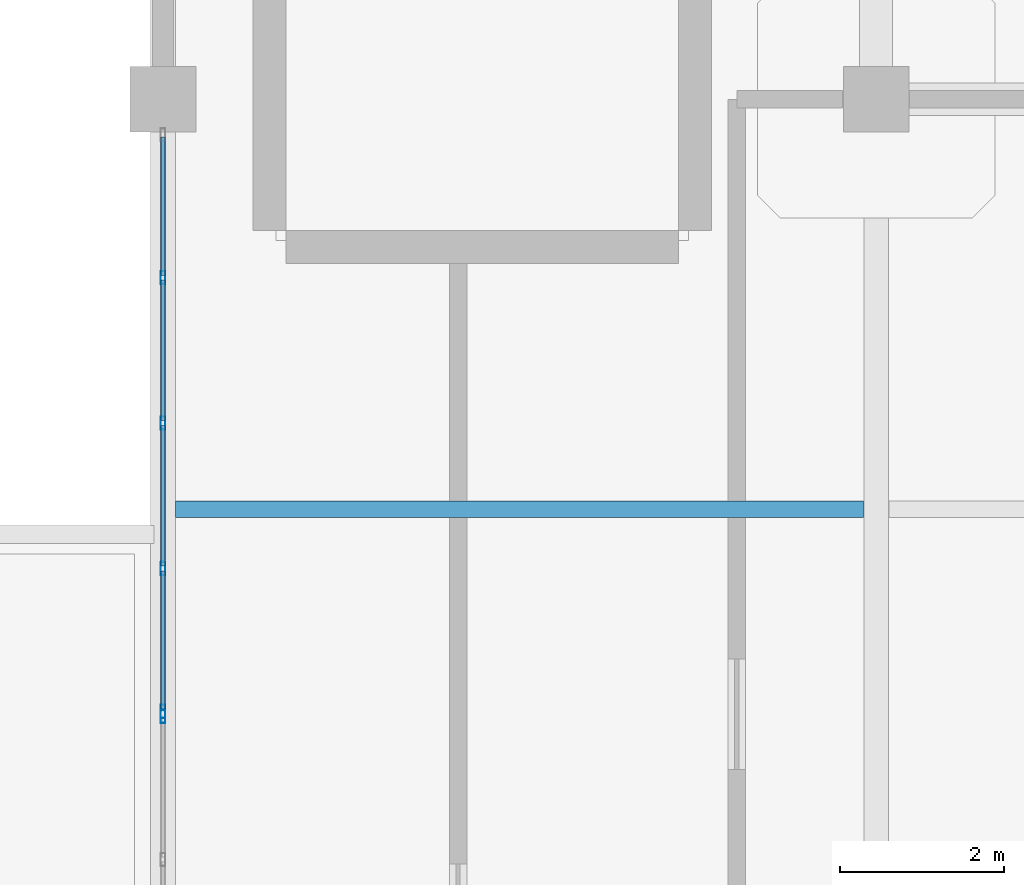
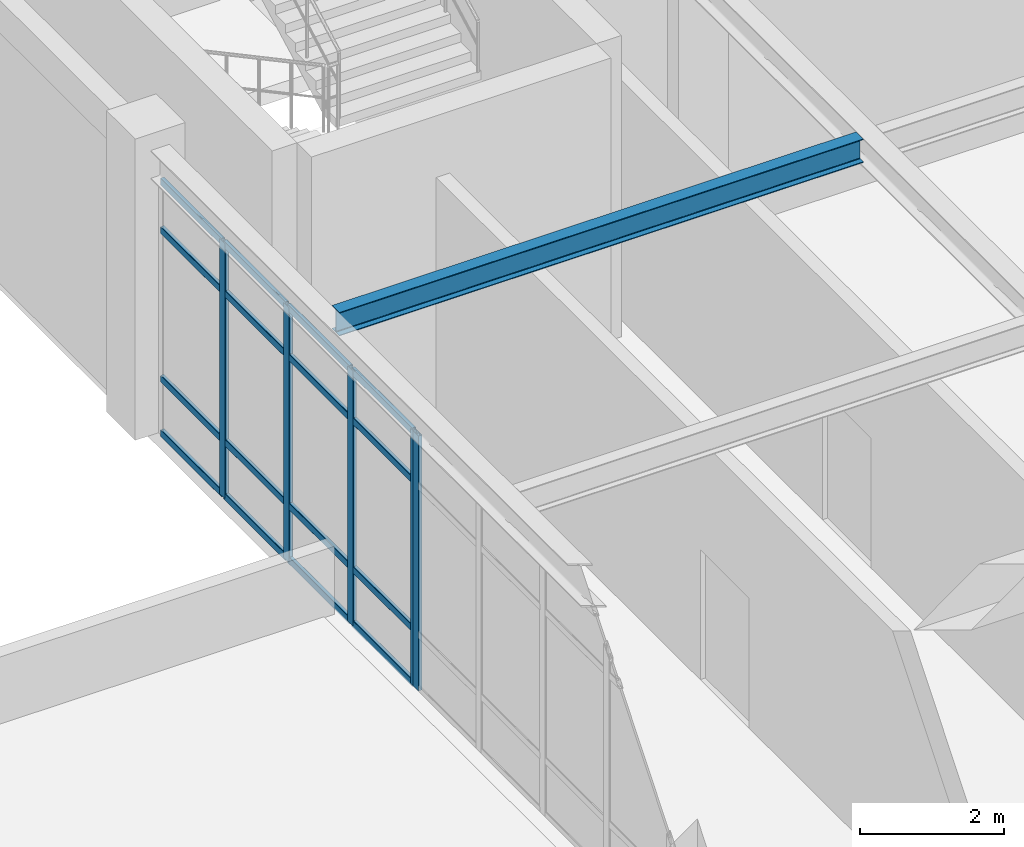
# One storey, part 27 of 124: 21 members, 1 beam, 2 elements without a shape of their own.
"""IFC4 building model written with IfcOpenShell, lengths in metres."""

from ifc_helpers import new_model, si_unit, derived_unit, direction, frame, origin, origin_2d, place, context, subcontext, project, spatial, hollow_rectangle, i_section, extrude, material, layer, layer_set, material_profile, profile_set, type_object, element, aggregate, save


model = new_model("IFC4")

# Units and contexts
model_context = context("Model", 3, precision=1e-05, world=origin(), true_north=direction((0.0, 1.0)))
body_context = subcontext(model_context, "Body", "Model", "MODEL_VIEW")
ifc_project = project(units=[si_unit("LENGTHUNIT", "METRE"), si_unit("AREAUNIT", "SQUARE_METRE"), si_unit("VOLUMEUNIT", "CUBIC_METRE"), si_unit("PLANEANGLEUNIT", "RADIAN"), si_unit("MASSUNIT", "GRAM", prefix="KILO"), derived_unit("THERMALTRANSMITTANCEUNIT", [(si_unit("MASSUNIT", "GRAM", prefix="KILO"), 1), (si_unit("TIMEUNIT", "SECOND"), -3), (si_unit("THERMODYNAMICTEMPERATUREUNIT", "KELVIN"), -1)])], contexts=[model_context])

# Site, building, storey
site_placement = place(None, origin())
site = spatial("IfcSite", under=ifc_project, at=site_placement, CompositionType="ELEMENT")
building_placement = place(site_placement, origin())
building = spatial("IfcBuilding", under=site, at=building_placement, Name="Qinzheling Arcade Emporium", CompositionType="ELEMENT")
storey_placement = place(building_placement, frame((0.0, 0.0, 16.5)))
storey = spatial("IfcBuildingStorey", under=building, at=storey_placement, Name="L04", CompositionType="ELEMENT", Elevation=16.5)

# Curtain wall, member
ifc_material_1 = material(Name="Anodised aluminium and solar-control double glazing", Category="aluminium")
ifc_layer = layer(ifc_material_1, 0.159912109375, Name="Anodised aluminium and solar-control double glazing", Category="aluminium")
ifc_layer_set = layer_set([ifc_layer], Name="Anodised aluminium and solar-control double glazing")
curtain_wall_type = type_object("IfcCurtainWallType", Name="Atrium Clerestory Curtain Wall", PredefinedType="NOTDEFINED", material=ifc_layer_set)
curtain_wall_1_placement = place(storey_placement, origin())
curtain_wall_1 = element("IfcCurtainWall", 1, at=curtain_wall_1_placement, inside=storey, type_object=curtain_wall_type, Name="Curtain Wall CW-L04-241", PredefinedType="NOTDEFINED")
ifc_material_2 = material(Name="Anodised aluminium 6063-T6", Category="aluminium")
ifc_material_profile_1 = material_profile(ifc_material_2, hollow_rectangle(XDim=0.06005859375, YDim=0.159912109375, WallThickness=0.00390625, InnerFilletRadius=0.00390625, OuterFilletRadius=0.008056640625, at=origin_2d()), Name="RHS 160x60x4", Category="aluminium")
ifc_profile_set_1 = profile_set([ifc_material_profile_1], Name="Anodised aluminium 6063-T6")
member_type_1 = type_object("IfcMemberType", Name="Curtain Wall Mullion RHS160x60", PredefinedType="MULLION", material=ifc_profile_set_1)
member_1_placement = place(storey_placement, frame((34.800048828125, 57.867919921875, 0.0), z_axis=(0.0, 0.0, 1.0), x_axis=(-1.0, 0.0, 0.0)))
member_1 = element("IfcMember", 2, at=member_1_placement, type_object=member_type_1, Name="CW03 mullion 5", PredefinedType="MULLION", context=body_context, shape_type="SweptSolid", body=[
    extrude(hollow_rectangle(XDim=0.06005859375, YDim=0.159912109375, WallThickness=0.00390625, InnerFilletRadius=0.00390625, OuterFilletRadius=0.008056640625, at=origin_2d()), origin(), (0.0, 0.0, 1.0), 4.31689453125),
])
aggregate(curtain_wall_1, [member_1])

# Curtain wall, members
curtain_wall_2_placement = place(storey_placement, origin())
curtain_wall_2 = element("IfcCurtainWall", 3, at=curtain_wall_2_placement, inside=storey, type_object=curtain_wall_type, Name="Curtain Wall CW-L04-242", PredefinedType="NOTDEFINED")
member_2_placement = place(storey_placement, frame((34.800048828125, 57.931884765625, 0.0), z_axis=(0.0, 0.0, 1.0), x_axis=(-1.0, 0.0, 0.0)))
member_2 = element("IfcMember", 4, at=member_2_placement, type_object=member_type_1, Name="CW03 mullion 1", PredefinedType="MULLION", context=body_context, shape_type="SweptSolid", body=[
    extrude(hollow_rectangle(XDim=0.06005859375, YDim=0.159912109375, WallThickness=0.00390625, InnerFilletRadius=0.00390625, OuterFilletRadius=0.008056640625, at=origin_2d()), origin(), (0.0, 0.0, 1.0), 4.31689453125),
])
member_3_placement = place(storey_placement, frame((34.800048828125, 59.676025390625, 0.0), z_axis=(0.0, 0.0, 1.0), x_axis=(-1.0, 0.0, 0.0)))
member_3 = element("IfcMember", 5, at=member_3_placement, type_object=member_type_1, Name="CW03 mullion 2", PredefinedType="MULLION", context=body_context, shape_type="SweptSolid", body=[
    extrude(hollow_rectangle(XDim=0.06005859375, YDim=0.159912109375, WallThickness=0.00390625, InnerFilletRadius=0.00390625, OuterFilletRadius=0.008056640625, at=origin_2d()), origin(), (0.0, 0.0, 1.0), 4.31689453125),
])
member_4_placement = place(storey_placement, frame((34.800048828125, 61.449951171875, 0.0), z_axis=(0.0, 0.0, 1.0), x_axis=(-1.0, 0.0, 0.0)))
member_4 = element("IfcMember", 6, at=member_4_placement, type_object=member_type_1, Name="CW03 mullion 3", PredefinedType="MULLION", context=body_context, shape_type="SweptSolid", body=[
    extrude(hollow_rectangle(XDim=0.06005859375, YDim=0.159912109375, WallThickness=0.00390625, InnerFilletRadius=0.00390625, OuterFilletRadius=0.008056640625, at=origin_2d()), origin(), (0.0, 0.0, 1.0), 4.31689453125),
])
member_5_placement = place(storey_placement, frame((34.800048828125, 63.22412109375, 0.0), z_axis=(0.0, 0.0, 1.0), x_axis=(-1.0, 0.0, 0.0)))
member_5 = element("IfcMember", 7, at=member_5_placement, type_object=member_type_1, Name="CW03 mullion 4", PredefinedType="MULLION", context=body_context, shape_type="SweptSolid", body=[
    extrude(hollow_rectangle(XDim=0.06005859375, YDim=0.159912109375, WallThickness=0.00390625, InnerFilletRadius=0.00390625, OuterFilletRadius=0.008056640625, at=origin_2d()), origin(), (0.0, 0.0, 1.0), 4.31689453125),
])
ifc_material_profile_2 = material_profile(ifc_material_2, hollow_rectangle(XDim=0.06005859375, YDim=0.1201171875, WallThickness=0.00390625, InnerFilletRadius=0.00390625, OuterFilletRadius=0.008056640625, at=origin_2d()), Name="RHS 120x60x4", Category="aluminium")
ifc_profile_set_2 = profile_set([ifc_material_profile_2], Name="Anodised aluminium 6063-T6")
member_type_2 = type_object("IfcMemberType", Name="Curtain Wall Transom RHS120x60", PredefinedType="USERDEFINED", material=ifc_profile_set_2)
member_6_placement = place(storey_placement, frame((34.800048828125, 57.9619140625, 0.030029296875), z_axis=(0.0, 1.0, 0.0), x_axis=(-1.0, 0.0, 0.0)))
member_6 = element("IfcMember", 8, at=member_6_placement, type_object=member_type_2, Name="CW03 transom 1.1", ObjectType="TRANSOM", PredefinedType="USERDEFINED", context=body_context, shape_type="SweptSolid", body=[
    extrude(hollow_rectangle(XDim=0.06005859375, YDim=0.1201171875, WallThickness=0.00390625, InnerFilletRadius=0.00390625, OuterFilletRadius=0.008056640625, at=origin_2d()), origin(), (0.0, 0.0, 1.0), 1.68408203125),
])
member_7_placement = place(storey_placement, frame((34.800048828125, 57.9619140625, 0.949951171875), z_axis=(0.0, 1.0, 0.0), x_axis=(-1.0, 0.0, 0.0)))
member_7 = element("IfcMember", 9, at=member_7_placement, type_object=member_type_2, Name="CW03 transom 1.2", ObjectType="TRANSOM", PredefinedType="USERDEFINED", context=body_context, shape_type="SweptSolid", body=[
    extrude(hollow_rectangle(XDim=0.06005859375, YDim=0.1201171875, WallThickness=0.00390625, InnerFilletRadius=0.00390625, OuterFilletRadius=0.008056640625, at=origin_2d()), origin(), (0.0, 0.0, 1.0), 1.68408203125),
])
member_8_placement = place(storey_placement, frame((34.800048828125, 57.9619140625, 3.467041015625), z_axis=(0.0, 1.0, 0.0), x_axis=(-1.0, 0.0, 0.0)))
member_8 = element("IfcMember", 10, at=member_8_placement, type_object=member_type_2, Name="CW03 transom 1.3", ObjectType="TRANSOM", PredefinedType="USERDEFINED", context=body_context, shape_type="SweptSolid", body=[
    extrude(hollow_rectangle(XDim=0.06005859375, YDim=0.1201171875, WallThickness=0.00390625, InnerFilletRadius=0.00390625, OuterFilletRadius=0.008056640625, at=origin_2d()), origin(), (0.0, 0.0, 1.0), 1.68408203125),
])
member_9_placement = place(storey_placement, frame((34.800048828125, 57.9619140625, 4.287109375), z_axis=(0.0, 1.0, 0.0), x_axis=(-1.0, 0.0, 0.0)))
member_9 = element("IfcMember", 11, at=member_9_placement, type_object=member_type_2, Name="CW03 transom 1.4", ObjectType="TRANSOM", PredefinedType="USERDEFINED", context=body_context, shape_type="SweptSolid", body=[
    extrude(hollow_rectangle(XDim=0.06005859375, YDim=0.1201171875, WallThickness=0.00390625, InnerFilletRadius=0.00390625, OuterFilletRadius=0.008056640625, at=origin_2d()), origin(), (0.0, 0.0, 1.0), 1.68408203125),
])
member_10_placement = place(storey_placement, frame((34.800048828125, 59.7060546875, 0.030029296875), z_axis=(0.0, 1.0, 0.0), x_axis=(-1.0, 0.0, 0.0)))
member_10 = element("IfcMember", 12, at=member_10_placement, type_object=member_type_2, Name="CW03 transom 2.1", ObjectType="TRANSOM", PredefinedType="USERDEFINED", context=body_context, shape_type="SweptSolid", body=[
    extrude(hollow_rectangle(XDim=0.06005859375, YDim=0.1201171875, WallThickness=0.00390625, InnerFilletRadius=0.00390625, OuterFilletRadius=0.008056640625, at=origin_2d()), origin(), (0.0, 0.0, 1.0), 1.7138671875),
])
member_11_placement = place(storey_placement, frame((34.800048828125, 59.7060546875, 0.949951171875), z_axis=(0.0, 1.0, 0.0), x_axis=(-1.0, 0.0, 0.0)))
member_11 = element("IfcMember", 13, at=member_11_placement, type_object=member_type_2, Name="CW03 transom 2.2", ObjectType="TRANSOM", PredefinedType="USERDEFINED", context=body_context, shape_type="SweptSolid", body=[
    extrude(hollow_rectangle(XDim=0.06005859375, YDim=0.1201171875, WallThickness=0.00390625, InnerFilletRadius=0.00390625, OuterFilletRadius=0.008056640625, at=origin_2d()), origin(), (0.0, 0.0, 1.0), 1.7138671875),
])
member_12_placement = place(storey_placement, frame((34.800048828125, 59.7060546875, 3.467041015625), z_axis=(0.0, 1.0, 0.0), x_axis=(-1.0, 0.0, 0.0)))
member_12 = element("IfcMember", 14, at=member_12_placement, type_object=member_type_2, Name="CW03 transom 2.3", ObjectType="TRANSOM", PredefinedType="USERDEFINED", context=body_context, shape_type="SweptSolid", body=[
    extrude(hollow_rectangle(XDim=0.06005859375, YDim=0.1201171875, WallThickness=0.00390625, InnerFilletRadius=0.00390625, OuterFilletRadius=0.008056640625, at=origin_2d()), origin(), (0.0, 0.0, 1.0), 1.7138671875),
])
member_13_placement = place(storey_placement, frame((34.800048828125, 59.7060546875, 4.287109375), z_axis=(0.0, 1.0, 0.0), x_axis=(-1.0, 0.0, 0.0)))
member_13 = element("IfcMember", 15, at=member_13_placement, type_object=member_type_2, Name="CW03 transom 2.4", ObjectType="TRANSOM", PredefinedType="USERDEFINED", context=body_context, shape_type="SweptSolid", body=[
    extrude(hollow_rectangle(XDim=0.06005859375, YDim=0.1201171875, WallThickness=0.00390625, InnerFilletRadius=0.00390625, OuterFilletRadius=0.008056640625, at=origin_2d()), origin(), (0.0, 0.0, 1.0), 1.7138671875),
])
member_14_placement = place(storey_placement, frame((34.800048828125, 61.47998046875, 0.030029296875), z_axis=(0.0, 1.0, 0.0), x_axis=(-1.0, 0.0, 0.0)))
member_14 = element("IfcMember", 16, at=member_14_placement, type_object=member_type_2, Name="CW03 transom 3.1", ObjectType="TRANSOM", PredefinedType="USERDEFINED", context=body_context, shape_type="SweptSolid", body=[
    extrude(hollow_rectangle(XDim=0.06005859375, YDim=0.1201171875, WallThickness=0.00390625, InnerFilletRadius=0.00390625, OuterFilletRadius=0.008056640625, at=origin_2d()), origin(), (0.0, 0.0, 1.0), 1.714111328125),
])
member_15_placement = place(storey_placement, frame((34.800048828125, 61.47998046875, 0.949951171875), z_axis=(0.0, 1.0, 0.0), x_axis=(-1.0, 0.0, 0.0)))
member_15 = element("IfcMember", 17, at=member_15_placement, type_object=member_type_2, Name="CW03 transom 3.2", ObjectType="TRANSOM", PredefinedType="USERDEFINED", context=body_context, shape_type="SweptSolid", body=[
    extrude(hollow_rectangle(XDim=0.06005859375, YDim=0.1201171875, WallThickness=0.00390625, InnerFilletRadius=0.00390625, OuterFilletRadius=0.008056640625, at=origin_2d()), origin(), (0.0, 0.0, 1.0), 1.714111328125),
])
member_16_placement = place(storey_placement, frame((34.800048828125, 61.47998046875, 3.467041015625), z_axis=(0.0, 1.0, 0.0), x_axis=(-1.0, 0.0, 0.0)))
member_16 = element("IfcMember", 18, at=member_16_placement, type_object=member_type_2, Name="CW03 transom 3.3", ObjectType="TRANSOM", PredefinedType="USERDEFINED", context=body_context, shape_type="SweptSolid", body=[
    extrude(hollow_rectangle(XDim=0.06005859375, YDim=0.1201171875, WallThickness=0.00390625, InnerFilletRadius=0.00390625, OuterFilletRadius=0.008056640625, at=origin_2d()), origin(), (0.0, 0.0, 1.0), 1.714111328125),
])
member_17_placement = place(storey_placement, frame((34.800048828125, 61.47998046875, 4.287109375), z_axis=(0.0, 1.0, 0.0), x_axis=(-1.0, 0.0, 0.0)))
member_17 = element("IfcMember", 19, at=member_17_placement, type_object=member_type_2, Name="CW03 transom 3.4", ObjectType="TRANSOM", PredefinedType="USERDEFINED", context=body_context, shape_type="SweptSolid", body=[
    extrude(hollow_rectangle(XDim=0.06005859375, YDim=0.1201171875, WallThickness=0.00390625, InnerFilletRadius=0.00390625, OuterFilletRadius=0.008056640625, at=origin_2d()), origin(), (0.0, 0.0, 1.0), 1.714111328125),
])
member_18_placement = place(storey_placement, frame((34.800048828125, 63.25390625, 0.030029296875), z_axis=(0.0, 1.0, 0.0), x_axis=(-1.0, 0.0, 0.0)))
member_18 = element("IfcMember", 20, at=member_18_placement, type_object=member_type_2, Name="CW03 transom 4.1", ObjectType="TRANSOM", PredefinedType="USERDEFINED", context=body_context, shape_type="SweptSolid", body=[
    extrude(hollow_rectangle(XDim=0.06005859375, YDim=0.1201171875, WallThickness=0.00390625, InnerFilletRadius=0.00390625, OuterFilletRadius=0.008056640625, at=origin_2d()), origin(), (0.0, 0.0, 1.0), 1.68408203125),
])
member_19_placement = place(storey_placement, frame((34.800048828125, 63.25390625, 0.949951171875), z_axis=(0.0, 1.0, 0.0), x_axis=(-1.0, 0.0, 0.0)))
member_19 = element("IfcMember", 21, at=member_19_placement, type_object=member_type_2, Name="CW03 transom 4.2", ObjectType="TRANSOM", PredefinedType="USERDEFINED", context=body_context, shape_type="SweptSolid", body=[
    extrude(hollow_rectangle(XDim=0.06005859375, YDim=0.1201171875, WallThickness=0.00390625, InnerFilletRadius=0.00390625, OuterFilletRadius=0.008056640625, at=origin_2d()), origin(), (0.0, 0.0, 1.0), 1.68408203125),
])
member_20_placement = place(storey_placement, frame((34.800048828125, 63.25390625, 3.467041015625), z_axis=(0.0, 1.0, 0.0), x_axis=(-1.0, 0.0, 0.0)))
member_20 = element("IfcMember", 22, at=member_20_placement, type_object=member_type_2, Name="CW03 transom 4.3", ObjectType="TRANSOM", PredefinedType="USERDEFINED", context=body_context, shape_type="SweptSolid", body=[
    extrude(hollow_rectangle(XDim=0.06005859375, YDim=0.1201171875, WallThickness=0.00390625, InnerFilletRadius=0.00390625, OuterFilletRadius=0.008056640625, at=origin_2d()), origin(), (0.0, 0.0, 1.0), 1.68408203125),
])
member_21_placement = place(storey_placement, frame((34.800048828125, 63.25390625, 4.287109375), z_axis=(0.0, 1.0, 0.0), x_axis=(-1.0, 0.0, 0.0)))
member_21 = element("IfcMember", 23, at=member_21_placement, type_object=member_type_2, Name="CW03 transom 4.4", ObjectType="TRANSOM", PredefinedType="USERDEFINED", context=body_context, shape_type="SweptSolid", body=[
    extrude(hollow_rectangle(XDim=0.06005859375, YDim=0.1201171875, WallThickness=0.00390625, InnerFilletRadius=0.00390625, OuterFilletRadius=0.008056640625, at=origin_2d()), origin(), (0.0, 0.0, 1.0), 1.68408203125),
])
aggregate(curtain_wall_2, [member_2, member_3, member_4, member_5, member_6, member_7, member_8, member_9, member_10, member_11, member_12, member_13, member_14, member_15, member_16, member_17, member_18, member_19, member_20, member_21])

# Beam
ifc_material_3 = material(Name="Structural steel Q355B", Category="steel")
ifc_material_profile_3 = material_profile(ifc_material_3, i_section(OverallWidth=0.199951171875, OverallDepth=0.39990234375, WebThickness=0.008056640625, FlangeThickness=0.012939453125, FilletRadius=0.01611328125, at=origin_2d()), Name="HN 400x200x8x13", Category="steel")
ifc_profile_set_3 = profile_set([ifc_material_profile_3], Name="Structural steel Q355B")
beam_type = type_object("IfcBeamType", Name="Storm Eave Outlooker Joist HN400 Q355B", PredefinedType="JOIST", material=ifc_profile_set_3)
beam_placement = place(storey_placement, frame((34.955078125, 60.39990234375, 4.6201171875), z_axis=(1.0, 0.0, 0.0), x_axis=(0.0, 1.0, 0.0)))
element("IfcBeam", 24, at=beam_placement, inside=storey, type_object=beam_type, Name="Secondary Joist JST-L04-5-2", PredefinedType="JOIST", context=body_context, shape_type="SweptSolid", body=[
    extrude(i_section(OverallWidth=0.199951171875, OverallDepth=0.39990234375, WebThickness=0.008056640625, FlangeThickness=0.012939453125, FilletRadius=0.01611328125, at=origin_2d()), origin(), (0.0, 0.0, 1.0), 8.389892578125),
])

save(model, "model.ifc")
